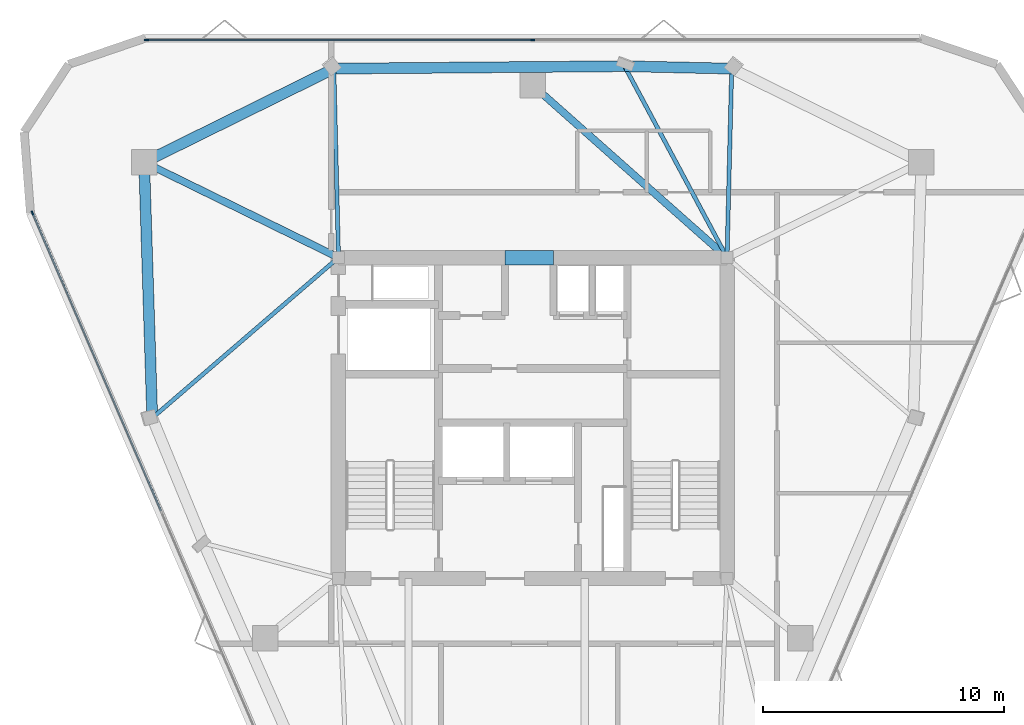
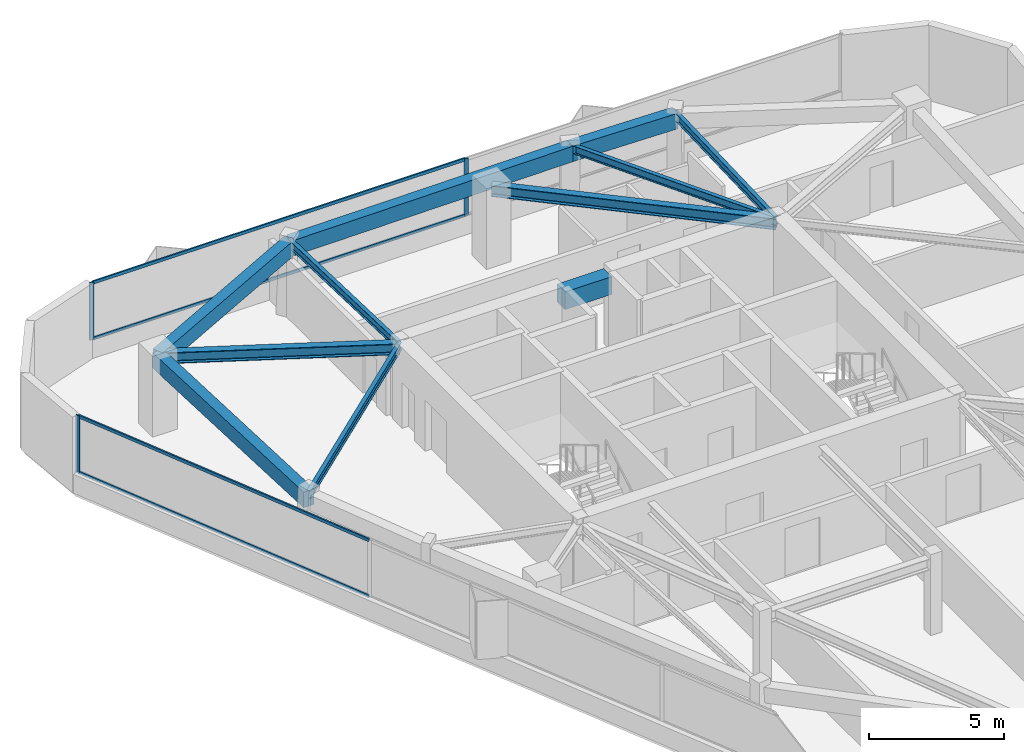
# One storey, part 4 of 9: 11 beams, 7 members, 2 elements without a shape of their own.
"""IFC4 building model written with IfcOpenShell, lengths in metres."""

import ifcopenshell
import ifcopenshell.guid

model = None  # the IFC model being written
_history = None  # IfcOwnerHistory: only IFC2X3 demands one
_inside = {}  # id of a spatial element -> (the spatial element, [elements in it])
_under = {}  # id of a project, library or spatial element -> (it, [spatial elements below it])
_declared = {}  # id of a project -> (the project, [libraries it declares])
_typed = {}  # id of a type object -> (the type object, [elements of that type])
_made_of = {}  # id of a material, layer set ... -> (it, [elements and type objects made of it])


def new_model(schema):
    """Start an empty IFC model of exactly this schema.

    Asked for "IFC4X3", IfcOpenShell would pick the latest addendum, in which some entities
    have other attributes; the version numbers below select the first issue.
    IFC2X3 requires an IfcOwnerHistory on every rooted entity: one is made here for all.
    """
    global model, _history
    if schema == "IFC4X3":
        model = ifcopenshell.file(schema_version=(4, 3, 0, 0))
    else:
        model = ifcopenshell.file(schema=schema)
    _inside.clear()
    _under.clear()
    _declared.clear()
    _typed.clear()
    _made_of.clear()
    _history = None
    if model.schema == "IFC2X3":
        org = make("IfcOrganization", Name="unknown")
        user = make(
            "IfcPersonAndOrganization",
            ThePerson=make("IfcPerson", FamilyName="unknown"),
            TheOrganization=org,
        )
        app = make(
            "IfcApplication",
            ApplicationDeveloper=org,
            Version="unknown",
            ApplicationFullName="unknown",
            ApplicationIdentifier="unknown",
        )
        _history = make(
            "IfcOwnerHistory",
            OwningUser=user,
            OwningApplication=app,
            ChangeAction="ADDED",
            CreationDate=0,
        )
    return model


def make(cls, **values):
    """One entity of the class cls with the attributes given. An attribute that is None is left unset."""
    return model.create_entity(
        cls, **{name: value for name, value in values.items() if value is not None}
    )


def rooted(cls, **values):
    """An entity with a GlobalId (a new one), such as an element, a storey or a relation."""
    return make(cls, GlobalId=ifcopenshell.guid.new(), OwnerHistory=_history, **values)


def si_unit(unit_type, name, prefix=None):
    """IfcSIUnit, for example si_unit("LENGTHUNIT", "METRE", prefix="MILLI")."""
    return make("IfcSIUnit", UnitType=unit_type, Prefix=prefix, Name=name)


def assignment(units):
    """IfcUnitAssignment: the units of a project."""
    return None if units is None else make("IfcUnitAssignment", Units=units)


def point(xyz):
    """IfcCartesianPoint."""
    return None if xyz is None else make("IfcCartesianPoint", Coordinates=xyz)


def direction(xyz):
    """IfcDirection."""
    return None if xyz is None else make("IfcDirection", DirectionRatios=xyz)


def frame(location, z_axis=None, x_axis=None):
    """IfcAxis2Placement3D, a coordinate frame: its origin and axes. An axis left out is left unset."""
    return make(
        "IfcAxis2Placement3D",
        Location=point(location),
        Axis=direction(z_axis),
        RefDirection=direction(x_axis),
    )


def frame_2d(location, x_axis=None):
    """IfcAxis2Placement2D, a coordinate frame in the plane: its origin and x axis."""
    return make(
        "IfcAxis2Placement2D", Location=point(location), RefDirection=direction(x_axis)
    )


def origin():
    """The frame at (0, 0, 0) with its axes left unset."""
    return frame((0.0, 0.0, 0.0))


def origin_2d():
    """The frame at (0, 0) in the plane with its x axis left unset."""
    return frame_2d((0.0, 0.0))


def place(relative_to, where):
    """IfcLocalPlacement: puts the frame where relative to a parent placement (None: the world)."""
    return make(
        "IfcLocalPlacement", PlacementRelTo=relative_to, RelativePlacement=where
    )


def context(
    kind, dimensions, precision=None, world=None, true_north=None, identifier=None
):
    """IfcGeometricRepresentationContext, for example the 3D "Model" context."""
    return make(
        "IfcGeometricRepresentationContext",
        ContextIdentifier=identifier,
        ContextType=kind,
        CoordinateSpaceDimension=dimensions,
        Precision=precision,
        WorldCoordinateSystem=world,
        TrueNorth=true_north,
    )


def subcontext(parent, identifier, kind, view, scale=None):
    """IfcGeometricRepresentationSubContext, for example "Body" below "Model"."""
    return make(
        "IfcGeometricRepresentationSubContext",
        ContextIdentifier=identifier,
        ContextType=kind,
        ParentContext=parent,
        TargetScale=scale,
        TargetView=view,
    )


def project(units=None, contexts=None):
    """IfcProject with its units and contexts."""
    return rooted(
        "IfcProject",
        Name="project",
        RepresentationContexts=contexts,
        UnitsInContext=assignment(units),
    )


def spatial(cls, under=None, at=None, **own):
    """A site, building, storey or space (cls), placed at a placement, below another one or the project."""
    s = rooted(cls, ObjectPlacement=at, **own)
    if under is not None:
        _under.setdefault(under.id(), (under, []))[1].append(s)
    return s


def profile(cls, at=None, kind="AREA", **sizes):
    """A parametric profile (cls). Its sizes go by their IFC names, for example OverallWidth=200.0."""
    return make(cls, ProfileType=kind, Position=at, **sizes)


def rectangle(**sizes):
    """IfcRectangleProfileDef."""
    return profile("IfcRectangleProfileDef", **sizes)


def i_section(**sizes):
    """IfcIShapeProfileDef."""
    return profile("IfcIShapeProfileDef", **sizes)


def extrude(swept, where, along, depth):
    """IfcExtrudedAreaSolid: the profile swept, set in the frame where, extruded along a direction by depth."""
    return make(
        "IfcExtrudedAreaSolid",
        SweptArea=swept,
        Position=where,
        ExtrudedDirection=direction(along),
        Depth=depth,
    )


def shape(context_of_items, identifier, shape_type, items):
    """IfcShapeRepresentation: the items that make up one representation, for example the "Body"."""
    return make(
        "IfcShapeRepresentation",
        ContextOfItems=context_of_items,
        RepresentationIdentifier=identifier,
        RepresentationType=shape_type,
        Items=items,
    )


def material(Name=None, Category=None):
    """IfcMaterial."""
    return make("IfcMaterial", Name=Name, Category=Category)


def layer(
    of_material, thickness, ventilated=None, Name=None, Category=None, Priority=None
):
    """IfcMaterialLayer: one layer of a wall or slab, of a material (None: an air gap)."""
    return make(
        "IfcMaterialLayer",
        Material=of_material,
        LayerThickness=thickness,
        IsVentilated=ventilated,
        Name=Name,
        Category=Category,
        Priority=Priority,
    )


def layer_set(layers, Name=None):
    """IfcMaterialLayerSet."""
    return make("IfcMaterialLayerSet", MaterialLayers=layers, LayerSetName=Name)


def material_profile(
    of_material, cross_section, Name=None, Category=None, Priority=None
):
    """IfcMaterialProfile: a cross section and its material."""
    return make(
        "IfcMaterialProfile",
        Name=Name,
        Material=of_material,
        Profile=cross_section,
        Priority=Priority,
        Category=Category,
    )


def profile_set(profiles, Name=None, composite=None):
    """IfcMaterialProfileSet."""
    return make(
        "IfcMaterialProfileSet",
        Name=Name,
        MaterialProfiles=profiles,
        CompositeProfile=composite,
    )


def made_of(thing, what):
    """Note that an element or type object is made of a material, layer set ...; save() writes the relation."""
    if what is not None:
        _made_of.setdefault(what.id(), (what, []))[1].append(thing)
    return thing


def type_object(cls, material=None, **own):
    """A type object (cls), such as IfcWallType, which elements share."""
    return made_of(rooted(cls, **own), material)


def element(
    cls,
    number,
    at=None,
    inside=None,
    cuts=None,
    type_object=None,
    material=None,
    context=None,
    identifier="Body",
    shape_type=None,
    held_by="IfcProductDefinitionShape",
    body=None,
    shapes=None,
    **own,
):
    """One element of the class cls, such as IfcWall. Its Tag is "e" and its number.

    at: its placement. inside: the storey or other place that contains it. cuts: it is an
    opening in that element (IfcRelVoidsElement). A single representation is given by context,
    identifier, shape_type and body (its items); several are given by shapes. held_by: the class
    of the entity that holds the representations. save() writes the other relations.
    """
    e = rooted(cls, Tag="e%d" % number, ObjectPlacement=at, **own)
    if body is not None:
        shapes = [shape(context, identifier, shape_type, body)]
    if shapes is not None:
        e.Representation = make(held_by, Representations=shapes)
    if inside is not None:
        _inside.setdefault(inside.id(), (inside, []))[1].append(e)
    if cuts is not None:
        rooted(
            "IfcRelVoidsElement", RelatingBuildingElement=cuts, RelatedOpeningElement=e
        )
    if type_object is not None:
        _typed.setdefault(type_object.id(), (type_object, []))[1].append(e)
    return made_of(e, material)


def aggregate(whole, parts):
    """IfcRelAggregates: a whole, such as a stair, and the parts it consists of."""
    return rooted("IfcRelAggregates", RelatingObject=whole, RelatedObjects=parts)


def save(model, path):
    """Write the relations noted so far, then the file.

    IfcRelAggregates (storeys below a building ...), IfcRelContainedInSpatialStructure (elements
    in a storey), IfcRelDefinesByType, IfcRelAssociatesMaterial and IfcRelDeclares: one each for
    every whole, place, type object, material and project.
    """
    for whole, parts in _under.values():
        aggregate(whole, parts)
    for where, things in _inside.values():
        rooted(
            "IfcRelContainedInSpatialStructure",
            RelatedElements=things,
            RelatingStructure=where,
        )
    for kind, things in _typed.values():
        rooted("IfcRelDefinesByType", RelatedObjects=things, RelatingType=kind)
    for what, things in _made_of.values():
        rooted("IfcRelAssociatesMaterial", RelatedObjects=things, RelatingMaterial=what)
    for by, libraries in _declared.values():
        rooted("IfcRelDeclares", RelatingContext=by, RelatedDefinitions=libraries)
    model.write(path)


model = new_model("IFC4")

# Units and contexts
model_context = context("Model", 3, precision=1e-05, world=origin(), true_north=direction((0.0, 1.0)))
body_context = subcontext(model_context, "Body", "Model", "MODEL_VIEW")
ifc_project = project(units=[si_unit("LENGTHUNIT", "METRE"), si_unit("AREAUNIT", "SQUARE_METRE"), si_unit("VOLUMEUNIT", "CUBIC_METRE"), si_unit("PLANEANGLEUNIT", "RADIAN"), si_unit("MASSUNIT", "GRAM", prefix="KILO")], contexts=[model_context])

# Site, building, storey
site_placement = place(None, origin())
site = spatial("IfcSite", under=ifc_project, at=site_placement, CompositionType="ELEMENT")
building_placement = place(site_placement, origin())
building = spatial("IfcBuilding", under=site, at=building_placement, Name="Talyreon Biosciences Tower", CompositionType="ELEMENT")
storey_placement = place(building_placement, frame((0.0, 0.0, 294.75)))
storey = spatial("IfcBuildingStorey", under=building, at=storey_placement, Name="L78", CompositionType="ELEMENT", Elevation=294.75)

# Curtain wall, member
ifc_material_1 = material(Name="Thermally broken aluminium and low-E glazing", Category="aluminium")
ifc_layer = layer(ifc_material_1, 0.175048828125)
ifc_layer_set = layer_set([ifc_layer], Name="Thermally broken aluminium and low-E glazing")
curtain_wall_type = type_object("IfcCurtainWallType", Name="CurtainWall_Zone5CompLab", PredefinedType="NOTDEFINED", material=ifc_layer_set)
curtain_wall_1_placement = place(storey_placement, origin())
curtain_wall_1 = element("IfcCurtainWall", 1, at=curtain_wall_1_placement, inside=storey, type_object=curtain_wall_type, Name="L78 Unitised Curtain Wall FCW-L78-00", PredefinedType="NOTDEFINED")
ifc_material_2 = material(Name="Anodised thermally broken aluminium", Category="aluminium")
ifc_material_profile_1 = material_profile(ifc_material_2, rectangle(XDim=0.06494140625, YDim=0.179931640625, at=origin_2d()), Name="ALUM MULLION 65x180")
ifc_profile_set_1 = profile_set([ifc_material_profile_1], Name="Anodised thermally broken aluminium")
member_type_1 = type_object("IfcMemberType", Name="CWMullion_65x180", PredefinedType="MULLION", material=ifc_profile_set_1)
member_1_placement = place(storey_placement, frame((45.26953125, 76.4921875, 0.81005859375), z_axis=(0.0, 0.0, 1.0), x_axis=(-0.918187314575, -0.396146507437, 0.0)))
member_1 = element("IfcMember", 2, at=member_1_placement, type_object=member_type_1, Name="CW6 mullion 4", PredefinedType="MULLION", context=body_context, shape_type="SweptSolid", body=[
    extrude(rectangle(XDim=0.06494140625, YDim=0.179931640625, at=origin_2d()), origin(), (0.0, 0.0, 1.0), 2.58984375),
])

# Curtain wall, members
curtain_wall_2_placement = place(storey_placement, origin())
curtain_wall_2 = element("IfcCurtainWall", 3, at=curtain_wall_2_placement, inside=storey, type_object=curtain_wall_type, Name="L78 Unitised Curtain Wall FCW-L78-04", PredefinedType="NOTDEFINED")
member_2_placement = place(storey_placement, frame((49.990234375, 83.67041015625, 0.81005859375), z_axis=(0.0, 0.0, 1.0), x_axis=(0.0, 1.0, 0.0)))
member_2 = element("IfcMember", 4, at=member_2_placement, type_object=member_type_1, Name="CW6 mullion 1", PredefinedType="MULLION", context=body_context, shape_type="SweptSolid", body=[
    extrude(rectangle(XDim=0.06494140625, YDim=0.179931640625, at=origin_2d()), origin(), (0.0, 0.0, 1.0), 2.58984375),
])
member_3_placement = place(storey_placement, frame((66.0, 83.67041015625, 0.81005859375), z_axis=(0.0, 0.0, 1.0), x_axis=(0.0, 1.0, 0.0)))
member_3 = element("IfcMember", 5, at=member_3_placement, type_object=member_type_1, Name="CW6 mullion 2", PredefinedType="MULLION", context=body_context, shape_type="SweptSolid", body=[
    extrude(rectangle(XDim=0.06494140625, YDim=0.179931640625, at=origin_2d()), origin(), (0.0, 0.0, 1.0), 2.58984375),
])

# Member
ifc_material_profile_2 = material_profile(ifc_material_2, rectangle(XDim=0.06494140625, YDim=0.139892578125, at=origin_2d()), Name="ALUM TRANSOM 65x140")
ifc_profile_set_2 = profile_set([ifc_material_profile_2], Name="Anodised thermally broken aluminium")
member_type_2 = type_object("IfcMemberType", Name="CWTransom_65x140", PredefinedType="USERDEFINED", material=ifc_profile_set_2)
member_4_placement = place(storey_placement, frame((50.591064453125, 64.15771484375, 0.842529296875), z_axis=(-0.396134480122, 0.918192503595, 0.0), x_axis=(-0.918192503595, -0.396134480122, 0.0)))
member_4 = element("IfcMember", 6, at=member_4_placement, type_object=member_type_2, Name="CW6 transom 3.1", ObjectType="TRANSOM", PredefinedType="USERDEFINED", context=body_context, shape_type="SweptSolid", body=[
    extrude(rectangle(XDim=0.06494140625, YDim=0.139892578125, at=origin_2d()), origin(), (0.0, 0.0, 1.0), 13.40087890625),
])

member_5_placement = place(storey_placement, frame((50.591064453125, 64.15771484375, 3.367431640625), z_axis=(-0.396134480122, 0.918192503595, 0.0), x_axis=(-0.918192503595, -0.396134480122, 0.0)))
member_5 = element("IfcMember", 7, at=member_5_placement, type_object=member_type_2, Name="CW6 transom 3.2", ObjectType="TRANSOM", PredefinedType="USERDEFINED", context=body_context, shape_type="SweptSolid", body=[
    extrude(rectangle(XDim=0.06494140625, YDim=0.139892578125, at=origin_2d()), origin(), (0.0, 0.0, 1.0), 13.40087890625),
])

aggregate(curtain_wall_1, [member_1, member_4, member_5])

member_6_placement = place(storey_placement, frame((50.022705078125, 83.67041015625, 0.842529296875), z_axis=(1.0, 0.0, 0.0), x_axis=(0.0, 1.0, 0.0)))
member_6 = element("IfcMember", 8, at=member_6_placement, type_object=member_type_2, Name="CW6 transom 1.1", ObjectType="TRANSOM", PredefinedType="USERDEFINED", context=body_context, shape_type="SweptSolid", body=[
    extrude(rectangle(XDim=0.06494140625, YDim=0.139892578125, at=origin_2d()), origin(), (0.0, 0.0, 1.0), 15.94482421875),
])

member_7_placement = place(storey_placement, frame((50.022705078125, 83.67041015625, 3.367431640625), z_axis=(1.0, 0.0, 0.0), x_axis=(0.0, 1.0, 0.0)))
member_7 = element("IfcMember", 9, at=member_7_placement, type_object=member_type_2, Name="CW6 transom 1.2", ObjectType="TRANSOM", PredefinedType="USERDEFINED", context=body_context, shape_type="SweptSolid", body=[
    extrude(rectangle(XDim=0.06494140625, YDim=0.139892578125, at=origin_2d()), origin(), (0.0, 0.0, 1.0), 15.94482421875),
])

aggregate(curtain_wall_2, [member_2, member_3, member_6, member_7])

# Beams
ifc_material_3 = material(Name="Concrete C50/60", Category="concrete")
ifc_material_profile_3 = material_profile(ifc_material_3, rectangle(XDim=0.60009765625, YDim=0.800048828125, at=origin_2d()), Name="RCB 600x800")
ifc_profile_set_3 = profile_set([ifc_material_profile_3], Name="Concrete C50/60")
beam_type_1 = type_object("IfcBeamType", Name="CoreCouplingLintel_600x800", PredefinedType="LINTEL", material=ifc_profile_set_3)
beam_1_placement = place(storey_placement, frame((64.85009765625, 74.64990234375, 3.0), z_axis=(1.0, 0.0, 0.0), x_axis=(0.0, 1.0, 0.0)))
element("IfcBeam", 10, at=beam_1_placement, inside=storey, type_object=beam_type_1, Name="L78 Core Coupling Lintel", PredefinedType="LINTEL", context=body_context, shape_type="SweptSolid", body=[
    extrude(rectangle(XDim=0.60009765625, YDim=0.800048828125, at=origin_2d()), origin(), (0.0, 0.0, 1.0), 2.0),
])
ifc_material_4 = material(Name="Precast concrete C45/55", Category="concrete")
ifc_material_profile_4 = material_profile(ifc_material_4, rectangle(XDim=0.449951171875, YDim=0.699951171875, at=origin_2d()), Name="RCB 450x700")
ifc_profile_set_4 = profile_set([ifc_material_profile_4], Name="Precast concrete C45/55")
beam_type_2 = type_object("IfcBeamType", Name="ExpressedSpandrel_450x700", PredefinedType="SPANDREL", material=ifc_profile_set_4)
beam_2_placement = place(storey_placement, frame((74.243896484375, 82.47802734375, 3.050048828125), z_axis=(-0.999745850756, 0.022544043494, 0.0), x_axis=(-0.022544043494, -0.999745850756, 0.0)))
element("IfcBeam", 11, at=beam_2_placement, inside=storey, type_object=beam_type_2, Name="L78 Expressed Horizontal Concrete Spandrel 06", PredefinedType="SPANDREL", context=body_context, shape_type="SweptSolid", body=[
    extrude(rectangle(XDim=0.449951171875, YDim=0.699951171875, at=origin_2d()), origin(), (0.0, 0.0, 1.0), 4.440185546875),
])
beam_3_placement = place(storey_placement, frame((69.804931640625, 82.578125, 3.050048828125), z_axis=(-0.999965494516, -0.008307212383, 0.0), x_axis=(0.008307212383, -0.999965494516, 0.0)))
element("IfcBeam", 12, at=beam_3_placement, inside=storey, type_object=beam_type_2, Name="L78 Expressed Horizontal Concrete Spandrel 07", PredefinedType="SPANDREL", context=body_context, shape_type="SweptSolid", body=[
    extrude(rectangle(XDim=0.449951171875, YDim=0.699951171875, at=origin_2d()), origin(), (0.0, 0.0, 1.0), 12.049560546875),
])
beam_4_placement = place(storey_placement, frame((57.755859375, 82.47802734375, 3.050048828125), z_axis=(-0.896683378716, -0.44267247298, 0.0), x_axis=(0.44267247298, -0.896683378716, 0.0)))
element("IfcBeam", 13, at=beam_4_placement, inside=storey, type_object=beam_type_2, Name="L78 Expressed Horizontal Concrete Spandrel 08", PredefinedType="SPANDREL", context=body_context, shape_type="SweptSolid", body=[
    extrude(rectangle(XDim=0.449951171875, YDim=0.699951171875, at=origin_2d()), origin(), (0.0, 0.0, 1.0), 8.763671875),
])
beam_5_placement = place(storey_placement, frame((49.897705078125, 78.5986328125, 3.050048828125), z_axis=(0.031547473535, -0.999502254582, 0.0), x_axis=(0.999502254582, 0.031547473535, 0.0)))
element("IfcBeam", 14, at=beam_5_placement, inside=storey, type_object=beam_type_2, Name="L78 Expressed Horizontal Concrete Spandrel 09", PredefinedType="SPANDREL", context=body_context, shape_type="SweptSolid", body=[
    extrude(rectangle(XDim=0.449951171875, YDim=0.699951171875, at=origin_2d()), origin(), (0.0, 0.0, 1.0), 10.602294921875),
])
ifc_material_5 = material(Name="Steel SM355", Category="steel")
ifc_material_profile_5 = material_profile(ifc_material_5, i_section(OverallWidth=0.300048828125, OverallDepth=0.5, WebThickness=0.014404296875, FlangeThickness=0.028076171875, FilletRadius=0.027099609375, at=origin_2d()), Name="HE500B")
ifc_profile_set_5 = profile_set([ifc_material_profile_5], Name="Steel SM355")
beam_type_3 = type_object("IfcBeamType", Name="SteelBeam_HE500B", PredefinedType="BEAM", material=ifc_profile_set_5)
beam_6_placement = place(storey_placement, frame((74.050048828125, 74.64990234375, 3.14990234375), z_axis=(-0.748178733955, 0.663497235908, 0.0), x_axis=(-0.663497235908, -0.748178733955, 0.0)))
element("IfcBeam", 15, at=beam_6_placement, inside=storey, type_object=beam_type_3, Name="L78 Radial Primary Girder 4", PredefinedType="BEAM", context=body_context, shape_type="SweptSolid", body=[
    extrude(i_section(OverallWidth=0.300048828125, OverallDepth=0.5, WebThickness=0.014404296875, FlangeThickness=0.028076171875, FilletRadius=0.027099609375, at=origin_2d()), origin(), (0.0, 0.0, 1.0), 10.759521484375),
])
beam_7_placement = place(storey_placement, frame((57.949951171875, 74.64990234375, 3.14990234375), z_axis=(-0.897852360314, 0.440296648952, 0.0), x_axis=(-0.440296648952, -0.897852360314, 0.0)))
element("IfcBeam", 16, at=beam_7_placement, inside=storey, type_object=beam_type_3, Name="L78 Radial Primary Girder 5", PredefinedType="BEAM", context=body_context, shape_type="SweptSolid", body=[
    extrude(i_section(OverallWidth=0.300048828125, OverallDepth=0.5, WebThickness=0.014404296875, FlangeThickness=0.028076171875, FilletRadius=0.027099609375, at=origin_2d()), origin(), (0.0, 0.0, 1.0), 8.96826171875),
])
ifc_material_profile_6 = material_profile(ifc_material_5, i_section(OverallWidth=0.169921875, OverallDepth=0.360107421875, WebThickness=0.008056640625, FlangeThickness=0.0126953125, FilletRadius=0.01806640625, at=origin_2d()), Name="IPE360")
ifc_profile_set_6 = profile_set([ifc_material_profile_6], Name="Steel SM355")
beam_type_4 = type_object("IfcBeamType", Name="SteelJoist_IPE360", PredefinedType="JOIST", material=ifc_profile_set_6)
beam_8_placement = place(storey_placement, frame((74.050048828125, 74.64990234375, 3.219970703125), z_axis=(0.024755385154, 0.999693538494, 0.0), x_axis=(-0.999693538494, 0.024755385154, 0.0)))
element("IfcBeam", 17, at=beam_8_placement, inside=storey, type_object=beam_type_4, Name="L78 Radial Composite Floor Joist PC-N1", PredefinedType="JOIST", context=body_context, shape_type="SweptSolid", body=[
    extrude(i_section(OverallWidth=0.169921875, OverallDepth=0.360107421875, WebThickness=0.008056640625, FlangeThickness=0.0126953125, FilletRadius=0.01806640625, at=origin_2d()), origin(), (0.0, 0.0, 1.0), 7.83056640625),
])
beam_9_placement = place(storey_placement, frame((74.050048828125, 74.64990234375, 3.219970703125), z_axis=(-0.472036079841, 0.881579230318, 0.0), x_axis=(-0.881579230318, -0.472036079841, 0.0)))
element("IfcBeam", 18, at=beam_9_placement, inside=storey, type_object=beam_type_4, Name="L78 Radial Composite Floor Joist PL-N", PredefinedType="JOIST", context=body_context, shape_type="SweptSolid", body=[
    extrude(i_section(OverallWidth=0.169921875, OverallDepth=0.360107421875, WebThickness=0.008056640625, FlangeThickness=0.0126953125, FilletRadius=0.01806640625, at=origin_2d()), origin(), (0.0, 0.0, 1.0), 8.9931640625),
])
beam_10_placement = place(storey_placement, frame((57.949951171875, 74.64990234375, 3.219970703125), z_axis=(-0.024786544078, 0.99969276642, 0.0), x_axis=(-0.99969276642, -0.024786544078, 0.0)))
element("IfcBeam", 19, at=beam_10_placement, inside=storey, type_object=beam_type_4, Name="L78 Radial Composite Floor Joist PC-N2", PredefinedType="JOIST", context=body_context, shape_type="SweptSolid", body=[
    extrude(i_section(OverallWidth=0.169921875, OverallDepth=0.360107421875, WebThickness=0.008056640625, FlangeThickness=0.0126953125, FilletRadius=0.01806640625, at=origin_2d()), origin(), (0.0, 0.0, 1.0), 7.83056640625),
])
beam_11_placement = place(storey_placement, frame((57.949951171875, 74.64990234375, 3.219970703125), z_axis=(-0.757655548712, -0.652654632639, 0.0), x_axis=(0.652654632639, -0.757655548712, 0.0)))
element("IfcBeam", 20, at=beam_11_placement, inside=storey, type_object=beam_type_4, Name="L78 Radial Composite Floor Joist PC-SW1", PredefinedType="JOIST", context=body_context, shape_type="SweptSolid", body=[
    extrude(i_section(OverallWidth=0.169921875, OverallDepth=0.360107421875, WebThickness=0.008056640625, FlangeThickness=0.0126953125, FilletRadius=0.01806640625, at=origin_2d()), origin(), (0.0, 0.0, 1.0), 10.186279296875),
])

save(model, "model.ifc")
